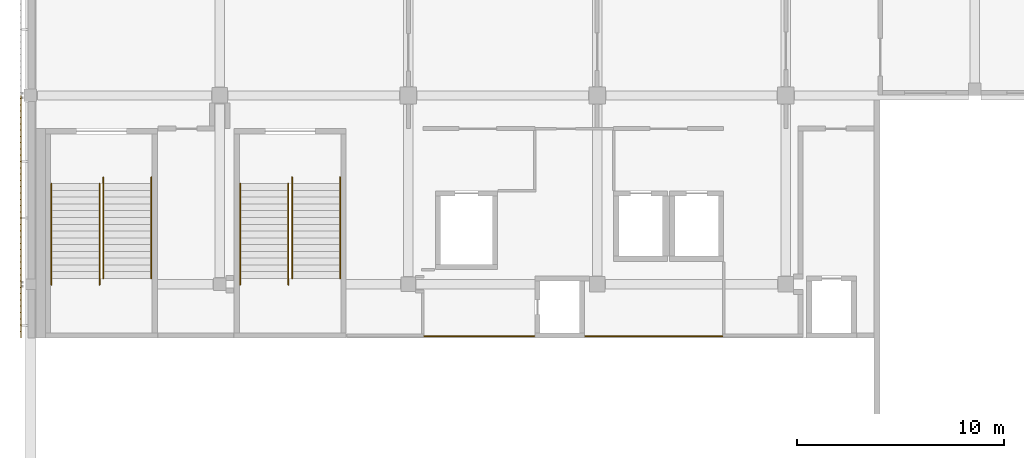
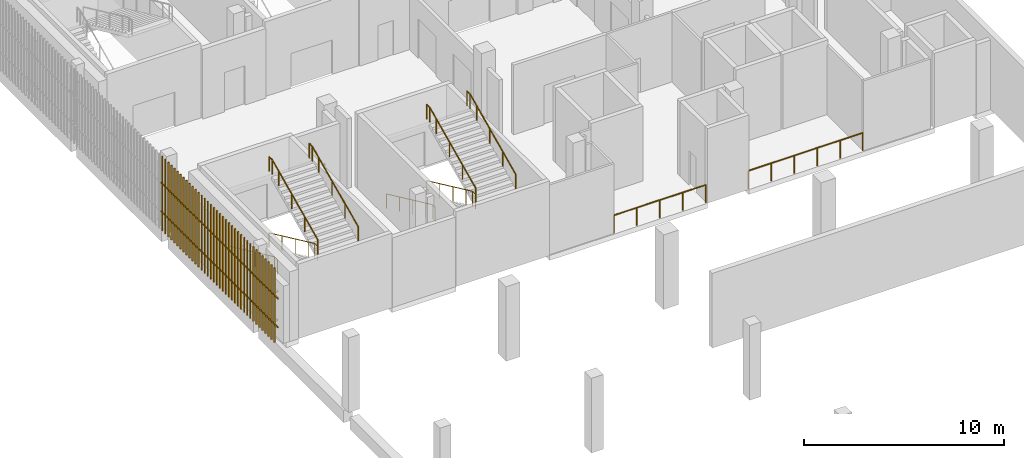
# One storey, part 93 of 104: 10 railings, 2 shading devices.
"""IFC4 building model written with IfcOpenShell, lengths in metres."""

from ifc_helpers import new_model, si_unit, direction, frame, origin, origin_2d, place, context, subcontext, project, spatial, rectangle, circle, extrude, material, type_object, element, save


model = new_model("IFC4")

# Units and contexts
model_context = context("Model", 3, precision=1e-05, world=origin(), true_north=direction((0.0, 1.0)))
body_context = subcontext(model_context, "Body", "Model", "MODEL_VIEW")
ifc_project = project(units=[si_unit("LENGTHUNIT", "METRE"), si_unit("AREAUNIT", "SQUARE_METRE"), si_unit("VOLUMEUNIT", "CUBIC_METRE"), si_unit("PLANEANGLEUNIT", "RADIAN"), si_unit("MASSUNIT", "GRAM", prefix="KILO")], contexts=[model_context])

# Site, building, storey
site_placement = place(None, origin())
site = spatial("IfcSite", under=ifc_project, at=site_placement, CompositionType="ELEMENT")
building_placement = place(site_placement, origin())
building = spatial("IfcBuilding", under=site, at=building_placement, Name="Shirokan Park Arena", CompositionType="ELEMENT")
storey_placement = place(building_placement, frame((0.0, 0.0, 10.919921875)))
storey = spatial("IfcBuildingStorey", under=building, at=storey_placement, Name="L02", CompositionType="ELEMENT", Elevation=10.919921875)

# Railings
ifc_material_1 = material(Name="Stainless steel", Category="steel")
railing_type_1 = type_object("IfcRailingType", Name="Concourse edge guard 1100", PredefinedType="GUARDRAIL", material=ifc_material_1)
railing_1_placement = place(storey_placement, frame((24.27001953125, 79.39990234375, 0.0)))
element("IfcRailing", 1, at=railing_1_placement, inside=storey, type_object=railing_type_1, Name="Edge guard L02 3", PredefinedType="GUARDRAIL", context=body_context, shape_type="SweptSolid", body=[
    extrude(circle(Radius=0.02490234375, at=origin_2d()), frame((0.0, 0.0, 1.0771484375), z_axis=(-1.0, 0.0, 0.0), x_axis=(0.0, -1.0, 0.0)), (0.0, 0.0, 1.0), 5.3076171875),
    extrude(circle(Radius=0.02490234375, at=origin_2d()), origin(), (0.0, 0.0, 1.0), 1.052001953125),
    extrude(circle(Radius=0.02490234375, at=origin_2d()), frame((-1.326904296875, 0.0, 0.0)), (0.0, 0.0, 1.0), 1.052001953125),
    extrude(circle(Radius=0.02490234375, at=origin_2d()), frame((-2.65380859375, 0.0, 0.0)), (0.0, 0.0, 1.0), 1.052001953125),
    extrude(circle(Radius=0.02490234375, at=origin_2d()), frame((-3.980712890625, 0.0, 0.0)), (0.0, 0.0, 1.0), 1.052001953125),
    extrude(circle(Radius=0.02490234375, at=origin_2d()), frame((-5.3076171875, 0.0, 0.0)), (0.0, 0.0, 1.0), 1.052001953125),
])
railing_2_placement = place(storey_placement, frame((33.33740234375, 79.39990234375, 0.0)))
element("IfcRailing", 2, at=railing_2_placement, inside=storey, type_object=railing_type_1, Name="Edge guard L02 5", PredefinedType="GUARDRAIL", context=body_context, shape_type="SweptSolid", body=[
    extrude(circle(Radius=0.02490234375, at=origin_2d()), frame((0.0, 0.0, 1.0771484375), z_axis=(-1.0, 0.0, 0.0), x_axis=(0.0, -1.0, 0.0)), (0.0, 0.0, 1.0), 6.607421875),
    extrude(circle(Radius=0.02490234375, at=origin_2d()), origin(), (0.0, 0.0, 1.0), 1.052001953125),
    extrude(circle(Radius=0.02490234375, at=origin_2d()), frame((-1.321533203125, 0.0, 0.0)), (0.0, 0.0, 1.0), 1.052001953125),
    extrude(circle(Radius=0.02490234375, at=origin_2d()), frame((-2.64306640625, 0.0, 0.0)), (0.0, 0.0, 1.0), 1.052001953125),
    extrude(circle(Radius=0.02490234375, at=origin_2d()), frame((-3.96435546875, 0.0, 0.0)), (0.0, 0.0, 1.0), 1.052001953125),
    extrude(circle(Radius=0.02490234375, at=origin_2d()), frame((-5.285888671875, 0.0, 0.0)), (0.0, 0.0, 1.0), 1.052001953125),
    extrude(circle(Radius=0.02490234375, at=origin_2d()), frame((-6.607421875, 0.0, 0.0)), (0.0, 0.0, 1.0), 1.052001953125),
])
railing_type_2 = type_object("IfcRailingType", Name="Stair handrail 900", PredefinedType="HANDRAIL", material=ifc_material_1)
railing_3_placement = place(storey_placement, frame((0.989990234375, 86.75, 0.15185546875)))
element("IfcRailing", 3, at=railing_3_placement, inside=storey, type_object=railing_type_2, Name="Handrail Exit Stair 4.E L02 to L03", PredefinedType="HANDRAIL", context=body_context, shape_type="SweptSolid", body=[
    extrude(circle(Radius=0.02392578125, at=origin_2d()), frame((0.0, 0.0, 0.8759765625), z_axis=(0.0, -0.907094476872, 0.420927083981), x_axis=(1.0, 0.0, 0.0)), (0.0, 0.0, 1.0), 1.440673828125),
    extrude(circle(Radius=0.02392578125, at=origin_2d()), frame((0.0, -1.306884765625, 1.482421875), z_axis=(0.0, -0.906999720516, 0.421131222998), x_axis=(1.0, 0.0, 0.0)), (0.0, 0.0, 1.0), 1.440673828125),
    extrude(circle(Radius=0.02392578125, at=origin_2d()), frame((0.0, -2.613525390625, 2.0888671875), z_axis=(0.0, -0.907029769225, 0.421066500378), x_axis=(1.0, 0.0, 0.0)), (0.0, 0.0, 1.0), 1.44091796875),
    extrude(circle(Radius=0.02392578125, at=origin_2d()), frame((0.0, -3.92041015625, 2.69580078125), z_axis=(0.0, -0.906934982928, 0.421270621741), x_axis=(1.0, 0.0, 0.0)), (0.0, 0.0, 1.0), 0.720458984375),
    extrude(circle(Radius=0.02392578125, at=origin_2d()), frame((0.0, -4.57373046875, 2.9990234375), z_axis=(0.0, -1.0, 0.0), x_axis=(1.0, 0.0, 0.0)), (0.0, 0.0, 1.0), 0.300048828125),
    extrude(circle(Radius=0.02099609375, at=origin_2d()), origin(), (0.0, 0.0, 1.0), 0.851806640625),
    extrude(circle(Radius=0.02099609375, at=origin_2d()), frame((0.0, -1.306884765625, 0.6064453125)), (0.0, 0.0, 1.0), 0.851806640625),
    extrude(circle(Radius=0.02099609375, at=origin_2d()), frame((0.0, -2.613525390625, 1.213134765625)), (0.0, 0.0, 1.0), 0.851806640625),
    extrude(circle(Radius=0.02099609375, at=origin_2d()), frame((0.0, -3.92041015625, 1.81982421875)), (0.0, 0.0, 1.0), 0.851806640625),
    extrude(circle(Radius=0.02099609375, at=origin_2d()), frame((0.0, -4.57373046875, 2.123291015625)), (0.0, 0.0, 1.0), 0.851806640625),
    extrude(circle(Radius=0.02099609375, at=origin_2d()), frame((0.0, -4.873779296875, 2.123291015625)), (0.0, 0.0, 1.0), 0.851806640625),
])
railing_4_placement = place(storey_placement, frame((3.31005859375, 86.75, 0.15185546875)))
element("IfcRailing", 4, at=railing_4_placement, inside=storey, type_object=railing_type_2, Name="Handrail Exit Stair 4.E L02 to L03", PredefinedType="HANDRAIL", context=body_context, shape_type="SweptSolid", body=[
    extrude(circle(Radius=0.02392578125, at=origin_2d()), frame((0.0, 0.0, 0.8759765625), z_axis=(0.0, -0.907094476872, 0.420927083981), x_axis=(1.0, 0.0, 0.0)), (0.0, 0.0, 1.0), 1.440673828125),
    extrude(circle(Radius=0.02392578125, at=origin_2d()), frame((0.0, -1.306884765625, 1.482421875), z_axis=(0.0, -0.906999720516, 0.421131222998), x_axis=(1.0, 0.0, 0.0)), (0.0, 0.0, 1.0), 1.440673828125),
    extrude(circle(Radius=0.02392578125, at=origin_2d()), frame((0.0, -2.613525390625, 2.0888671875), z_axis=(0.0, -0.907029769225, 0.421066500378), x_axis=(1.0, 0.0, 0.0)), (0.0, 0.0, 1.0), 1.44091796875),
    extrude(circle(Radius=0.02392578125, at=origin_2d()), frame((0.0, -3.92041015625, 2.69580078125), z_axis=(0.0, -0.906934982928, 0.421270621741), x_axis=(1.0, 0.0, 0.0)), (0.0, 0.0, 1.0), 0.720458984375),
    extrude(circle(Radius=0.02392578125, at=origin_2d()), frame((0.0, -4.57373046875, 2.9990234375), z_axis=(0.0, -1.0, 0.0), x_axis=(1.0, 0.0, 0.0)), (0.0, 0.0, 1.0), 0.300048828125),
    extrude(circle(Radius=0.02099609375, at=origin_2d()), origin(), (0.0, 0.0, 1.0), 0.851806640625),
    extrude(circle(Radius=0.02099609375, at=origin_2d()), frame((0.0, -1.306884765625, 0.6064453125)), (0.0, 0.0, 1.0), 0.851806640625),
    extrude(circle(Radius=0.02099609375, at=origin_2d()), frame((0.0, -2.613525390625, 1.213134765625)), (0.0, 0.0, 1.0), 0.851806640625),
    extrude(circle(Radius=0.02099609375, at=origin_2d()), frame((0.0, -3.92041015625, 1.81982421875)), (0.0, 0.0, 1.0), 0.851806640625),
    extrude(circle(Radius=0.02099609375, at=origin_2d()), frame((0.0, -4.57373046875, 2.123291015625)), (0.0, 0.0, 1.0), 0.851806640625),
    extrude(circle(Radius=0.02099609375, at=origin_2d()), frame((0.0, -4.873779296875, 2.123291015625)), (0.0, 0.0, 1.0), 0.851806640625),
])
railing_5_placement = place(storey_placement, frame((3.489990234375, 82.17626953125, 2.4267578125)))
element("IfcRailing", 5, at=railing_5_placement, inside=storey, type_object=railing_type_2, Name="Handrail Exit Stair 4.E L02 to L03", PredefinedType="HANDRAIL", context=body_context, shape_type="SweptSolid", body=[
    extrude(circle(Radius=0.02392578125, at=origin_2d()), frame((0.0, 0.0, 0.8759765625), z_axis=(0.0, 0.906999720516, 0.421131222998), x_axis=(-1.0, 0.0, 0.0)), (0.0, 0.0, 1.0), 1.440673828125),
    extrude(circle(Radius=0.02392578125, at=origin_2d()), frame((0.0, 1.306640625, 1.482421875), z_axis=(0.0, 0.907029769225, 0.421066500378), x_axis=(-1.0, 0.0, 0.0)), (0.0, 0.0, 1.0), 1.44091796875),
    extrude(circle(Radius=0.02392578125, at=origin_2d()), frame((0.0, 2.613525390625, 2.08935546875), z_axis=(0.0, 0.907029769225, 0.421066500378), x_axis=(-1.0, 0.0, 0.0)), (0.0, 0.0, 1.0), 1.44091796875),
    extrude(circle(Radius=0.02392578125, at=origin_2d()), frame((0.0, 3.92041015625, 2.69580078125), z_axis=(0.0, 0.907064445915, 0.420991794405), x_axis=(-1.0, 0.0, 0.0)), (0.0, 0.0, 1.0), 0.72021484375),
    extrude(circle(Radius=0.02392578125, at=origin_2d()), frame((0.0, 4.57373046875, 2.9990234375), z_axis=(0.0, 1.0, 0.0), x_axis=(-1.0, 0.0, 0.0)), (0.0, 0.0, 1.0), 0.300048828125),
    extrude(circle(Radius=0.02099609375, at=origin_2d()), origin(), (0.0, 0.0, 1.0), 0.851806640625),
    extrude(circle(Radius=0.02099609375, at=origin_2d()), frame((0.0, 1.306640625, 0.606689453125)), (0.0, 0.0, 1.0), 0.851806640625),
    extrude(circle(Radius=0.02099609375, at=origin_2d()), frame((0.0, 2.613525390625, 1.21337890625)), (0.0, 0.0, 1.0), 0.851806640625),
    extrude(circle(Radius=0.02099609375, at=origin_2d()), frame((0.0, 3.92041015625, 1.820068359375)), (0.0, 0.0, 1.0), 0.851806640625),
    extrude(circle(Radius=0.02099609375, at=origin_2d()), frame((0.0, 4.57373046875, 2.123291015625)), (0.0, 0.0, 1.0), 0.851806640625),
    extrude(circle(Radius=0.02099609375, at=origin_2d()), frame((0.0, 4.873779296875, 2.123291015625)), (0.0, 0.0, 1.0), 0.851806640625),
])
railing_6_placement = place(storey_placement, frame((5.81005859375, 82.17626953125, 2.4267578125)))
element("IfcRailing", 6, at=railing_6_placement, inside=storey, type_object=railing_type_2, Name="Handrail Exit Stair 4.E L02 to L03", PredefinedType="HANDRAIL", context=body_context, shape_type="SweptSolid", body=[
    extrude(circle(Radius=0.02392578125, at=origin_2d()), frame((0.0, 0.0, 0.8759765625), z_axis=(0.0, 0.906999720516, 0.421131222998), x_axis=(-1.0, 0.0, 0.0)), (0.0, 0.0, 1.0), 1.440673828125),
    extrude(circle(Radius=0.02392578125, at=origin_2d()), frame((0.0, 1.306640625, 1.482421875), z_axis=(0.0, 0.907029769225, 0.421066500378), x_axis=(-1.0, 0.0, 0.0)), (0.0, 0.0, 1.0), 1.44091796875),
    extrude(circle(Radius=0.02392578125, at=origin_2d()), frame((0.0, 2.613525390625, 2.08935546875), z_axis=(0.0, 0.907029769225, 0.421066500378), x_axis=(-1.0, 0.0, 0.0)), (0.0, 0.0, 1.0), 1.44091796875),
    extrude(circle(Radius=0.02392578125, at=origin_2d()), frame((0.0, 3.92041015625, 2.69580078125), z_axis=(0.0, 0.907064445915, 0.420991794405), x_axis=(-1.0, 0.0, 0.0)), (0.0, 0.0, 1.0), 0.72021484375),
    extrude(circle(Radius=0.02392578125, at=origin_2d()), frame((0.0, 4.57373046875, 2.9990234375), z_axis=(0.0, 1.0, 0.0), x_axis=(-1.0, 0.0, 0.0)), (0.0, 0.0, 1.0), 0.300048828125),
    extrude(circle(Radius=0.02099609375, at=origin_2d()), origin(), (0.0, 0.0, 1.0), 0.851806640625),
    extrude(circle(Radius=0.02099609375, at=origin_2d()), frame((0.0, 1.306640625, 0.606689453125)), (0.0, 0.0, 1.0), 0.851806640625),
    extrude(circle(Radius=0.02099609375, at=origin_2d()), frame((0.0, 2.613525390625, 1.21337890625)), (0.0, 0.0, 1.0), 0.851806640625),
    extrude(circle(Radius=0.02099609375, at=origin_2d()), frame((0.0, 3.92041015625, 1.820068359375)), (0.0, 0.0, 1.0), 0.851806640625),
    extrude(circle(Radius=0.02099609375, at=origin_2d()), frame((0.0, 4.57373046875, 2.123291015625)), (0.0, 0.0, 1.0), 0.851806640625),
    extrude(circle(Radius=0.02099609375, at=origin_2d()), frame((0.0, 4.873779296875, 2.123291015625)), (0.0, 0.0, 1.0), 0.851806640625),
])
railing_7_placement = place(storey_placement, frame((10.090087890625, 86.75, 0.15185546875)))
element("IfcRailing", 7, at=railing_7_placement, inside=storey, type_object=railing_type_2, Name="Handrail Exit Stair 4.F L02 to L03", PredefinedType="HANDRAIL", context=body_context, shape_type="SweptSolid", body=[
    extrude(circle(Radius=0.02392578125, at=origin_2d()), frame((0.0, 0.0, 0.8759765625), z_axis=(0.0, -0.907094476872, 0.420927083981), x_axis=(1.0, 0.0, 0.0)), (0.0, 0.0, 1.0), 1.440673828125),
    extrude(circle(Radius=0.02392578125, at=origin_2d()), frame((0.0, -1.306884765625, 1.482421875), z_axis=(0.0, -0.906999720516, 0.421131222998), x_axis=(1.0, 0.0, 0.0)), (0.0, 0.0, 1.0), 1.440673828125),
    extrude(circle(Radius=0.02392578125, at=origin_2d()), frame((0.0, -2.613525390625, 2.0888671875), z_axis=(0.0, -0.907029769225, 0.421066500378), x_axis=(1.0, 0.0, 0.0)), (0.0, 0.0, 1.0), 1.44091796875),
    extrude(circle(Radius=0.02392578125, at=origin_2d()), frame((0.0, -3.92041015625, 2.69580078125), z_axis=(0.0, -0.906934982928, 0.421270621741), x_axis=(1.0, 0.0, 0.0)), (0.0, 0.0, 1.0), 0.720458984375),
    extrude(circle(Radius=0.02392578125, at=origin_2d()), frame((0.0, -4.57373046875, 2.9990234375), z_axis=(0.0, -1.0, 0.0), x_axis=(1.0, 0.0, 0.0)), (0.0, 0.0, 1.0), 0.300048828125),
    extrude(circle(Radius=0.02099609375, at=origin_2d()), origin(), (0.0, 0.0, 1.0), 0.851806640625),
    extrude(circle(Radius=0.02099609375, at=origin_2d()), frame((0.0, -1.306884765625, 0.6064453125)), (0.0, 0.0, 1.0), 0.851806640625),
    extrude(circle(Radius=0.02099609375, at=origin_2d()), frame((0.0, -2.613525390625, 1.213134765625)), (0.0, 0.0, 1.0), 0.851806640625),
    extrude(circle(Radius=0.02099609375, at=origin_2d()), frame((0.0, -3.92041015625, 1.81982421875)), (0.0, 0.0, 1.0), 0.851806640625),
    extrude(circle(Radius=0.02099609375, at=origin_2d()), frame((0.0, -4.57373046875, 2.123291015625)), (0.0, 0.0, 1.0), 0.851806640625),
    extrude(circle(Radius=0.02099609375, at=origin_2d()), frame((0.0, -4.873779296875, 2.123291015625)), (0.0, 0.0, 1.0), 0.851806640625),
])
railing_8_placement = place(storey_placement, frame((12.409912109375, 86.75, 0.15185546875)))
element("IfcRailing", 8, at=railing_8_placement, inside=storey, type_object=railing_type_2, Name="Handrail Exit Stair 4.F L02 to L03", PredefinedType="HANDRAIL", context=body_context, shape_type="SweptSolid", body=[
    extrude(circle(Radius=0.02392578125, at=origin_2d()), frame((0.0, 0.0, 0.8759765625), z_axis=(0.0, -0.907094476872, 0.420927083981), x_axis=(1.0, 0.0, 0.0)), (0.0, 0.0, 1.0), 1.440673828125),
    extrude(circle(Radius=0.02392578125, at=origin_2d()), frame((0.0, -1.306884765625, 1.482421875), z_axis=(0.0, -0.906999720516, 0.421131222998), x_axis=(1.0, 0.0, 0.0)), (0.0, 0.0, 1.0), 1.440673828125),
    extrude(circle(Radius=0.02392578125, at=origin_2d()), frame((0.0, -2.613525390625, 2.0888671875), z_axis=(0.0, -0.907029769225, 0.421066500378), x_axis=(1.0, 0.0, 0.0)), (0.0, 0.0, 1.0), 1.44091796875),
    extrude(circle(Radius=0.02392578125, at=origin_2d()), frame((0.0, -3.92041015625, 2.69580078125), z_axis=(0.0, -0.906934982928, 0.421270621741), x_axis=(1.0, 0.0, 0.0)), (0.0, 0.0, 1.0), 0.720458984375),
    extrude(circle(Radius=0.02392578125, at=origin_2d()), frame((0.0, -4.57373046875, 2.9990234375), z_axis=(0.0, -1.0, 0.0), x_axis=(1.0, 0.0, 0.0)), (0.0, 0.0, 1.0), 0.300048828125),
    extrude(circle(Radius=0.02099609375, at=origin_2d()), origin(), (0.0, 0.0, 1.0), 0.851806640625),
    extrude(circle(Radius=0.02099609375, at=origin_2d()), frame((0.0, -1.306884765625, 0.6064453125)), (0.0, 0.0, 1.0), 0.851806640625),
    extrude(circle(Radius=0.02099609375, at=origin_2d()), frame((0.0, -2.613525390625, 1.213134765625)), (0.0, 0.0, 1.0), 0.851806640625),
    extrude(circle(Radius=0.02099609375, at=origin_2d()), frame((0.0, -3.92041015625, 1.81982421875)), (0.0, 0.0, 1.0), 0.851806640625),
    extrude(circle(Radius=0.02099609375, at=origin_2d()), frame((0.0, -4.57373046875, 2.123291015625)), (0.0, 0.0, 1.0), 0.851806640625),
    extrude(circle(Radius=0.02099609375, at=origin_2d()), frame((0.0, -4.873779296875, 2.123291015625)), (0.0, 0.0, 1.0), 0.851806640625),
])
railing_9_placement = place(storey_placement, frame((12.590087890625, 82.17626953125, 2.4267578125)))
element("IfcRailing", 9, at=railing_9_placement, inside=storey, type_object=railing_type_2, Name="Handrail Exit Stair 4.F L02 to L03", PredefinedType="HANDRAIL", context=body_context, shape_type="SweptSolid", body=[
    extrude(circle(Radius=0.02392578125, at=origin_2d()), frame((0.0, 0.0, 0.8759765625), z_axis=(0.0, 0.906999720516, 0.421131222998), x_axis=(-1.0, 0.0, 0.0)), (0.0, 0.0, 1.0), 1.440673828125),
    extrude(circle(Radius=0.02392578125, at=origin_2d()), frame((0.0, 1.306640625, 1.482421875), z_axis=(0.0, 0.907029769225, 0.421066500378), x_axis=(-1.0, 0.0, 0.0)), (0.0, 0.0, 1.0), 1.44091796875),
    extrude(circle(Radius=0.02392578125, at=origin_2d()), frame((0.0, 2.613525390625, 2.08935546875), z_axis=(0.0, 0.907029769225, 0.421066500378), x_axis=(-1.0, 0.0, 0.0)), (0.0, 0.0, 1.0), 1.44091796875),
    extrude(circle(Radius=0.02392578125, at=origin_2d()), frame((0.0, 3.92041015625, 2.69580078125), z_axis=(0.0, 0.907064445915, 0.420991794405), x_axis=(-1.0, 0.0, 0.0)), (0.0, 0.0, 1.0), 0.72021484375),
    extrude(circle(Radius=0.02392578125, at=origin_2d()), frame((0.0, 4.57373046875, 2.9990234375), z_axis=(0.0, 1.0, 0.0), x_axis=(-1.0, 0.0, 0.0)), (0.0, 0.0, 1.0), 0.300048828125),
    extrude(circle(Radius=0.02099609375, at=origin_2d()), origin(), (0.0, 0.0, 1.0), 0.851806640625),
    extrude(circle(Radius=0.02099609375, at=origin_2d()), frame((0.0, 1.306640625, 0.606689453125)), (0.0, 0.0, 1.0), 0.851806640625),
    extrude(circle(Radius=0.02099609375, at=origin_2d()), frame((0.0, 2.613525390625, 1.21337890625)), (0.0, 0.0, 1.0), 0.851806640625),
    extrude(circle(Radius=0.02099609375, at=origin_2d()), frame((0.0, 3.92041015625, 1.820068359375)), (0.0, 0.0, 1.0), 0.851806640625),
    extrude(circle(Radius=0.02099609375, at=origin_2d()), frame((0.0, 4.57373046875, 2.123291015625)), (0.0, 0.0, 1.0), 0.851806640625),
    extrude(circle(Radius=0.02099609375, at=origin_2d()), frame((0.0, 4.873779296875, 2.123291015625)), (0.0, 0.0, 1.0), 0.851806640625),
])
railing_10_placement = place(storey_placement, frame((14.909912109375, 82.17626953125, 2.4267578125)))
element("IfcRailing", 10, at=railing_10_placement, inside=storey, type_object=railing_type_2, Name="Handrail Exit Stair 4.F L02 to L03", PredefinedType="HANDRAIL", context=body_context, shape_type="SweptSolid", body=[
    extrude(circle(Radius=0.02392578125, at=origin_2d()), frame((0.0, 0.0, 0.8759765625), z_axis=(0.0, 0.906999720516, 0.421131222998), x_axis=(-1.0, 0.0, 0.0)), (0.0, 0.0, 1.0), 1.440673828125),
    extrude(circle(Radius=0.02392578125, at=origin_2d()), frame((0.0, 1.306640625, 1.482421875), z_axis=(0.0, 0.907029769225, 0.421066500378), x_axis=(-1.0, 0.0, 0.0)), (0.0, 0.0, 1.0), 1.44091796875),
    extrude(circle(Radius=0.02392578125, at=origin_2d()), frame((0.0, 2.613525390625, 2.08935546875), z_axis=(0.0, 0.907029769225, 0.421066500378), x_axis=(-1.0, 0.0, 0.0)), (0.0, 0.0, 1.0), 1.44091796875),
    extrude(circle(Radius=0.02392578125, at=origin_2d()), frame((0.0, 3.92041015625, 2.69580078125), z_axis=(0.0, 0.907064445915, 0.420991794405), x_axis=(-1.0, 0.0, 0.0)), (0.0, 0.0, 1.0), 0.72021484375),
    extrude(circle(Radius=0.02392578125, at=origin_2d()), frame((0.0, 4.57373046875, 2.9990234375), z_axis=(0.0, 1.0, 0.0), x_axis=(-1.0, 0.0, 0.0)), (0.0, 0.0, 1.0), 0.300048828125),
    extrude(circle(Radius=0.02099609375, at=origin_2d()), origin(), (0.0, 0.0, 1.0), 0.851806640625),
    extrude(circle(Radius=0.02099609375, at=origin_2d()), frame((0.0, 1.306640625, 0.606689453125)), (0.0, 0.0, 1.0), 0.851806640625),
    extrude(circle(Radius=0.02099609375, at=origin_2d()), frame((0.0, 2.613525390625, 1.21337890625)), (0.0, 0.0, 1.0), 0.851806640625),
    extrude(circle(Radius=0.02099609375, at=origin_2d()), frame((0.0, 3.92041015625, 1.820068359375)), (0.0, 0.0, 1.0), 0.851806640625),
    extrude(circle(Radius=0.02099609375, at=origin_2d()), frame((0.0, 4.57373046875, 2.123291015625)), (0.0, 0.0, 1.0), 0.851806640625),
    extrude(circle(Radius=0.02099609375, at=origin_2d()), frame((0.0, 4.873779296875, 2.123291015625)), (0.0, 0.0, 1.0), 0.851806640625),
])

# Shading devices
ifc_material_2 = material(Name="Timber louvre veil (cedar)", Category="wood")
shading_device_type = type_object("IfcShadingDeviceType", Name="Timber louvre veil panel", PredefinedType="JALOUSIE", material=ifc_material_2)
shading_device_1_placement = place(storey_placement, origin())
element("IfcShadingDevice", 11, at=shading_device_1_placement, inside=storey, type_object=shading_device_type, Name="Timber louvre veil west bay 3 L02", PredefinedType="JALOUSIE", context=body_context, shape_type="SweptSolid", body=[
    extrude(rectangle(XDim=0.050048828125, YDim=0.080078125, at=origin_2d()), frame((-0.485107421875, 90.848388671875, 0.0), z_axis=(0.0, 0.0, 1.0), x_axis=(0.0, -1.0, 0.0)), (0.0, 0.0, 1.0), 4.550048828125),
    extrude(rectangle(XDim=0.050048828125, YDim=0.080078125, at=origin_2d()), frame((-0.485107421875, 90.544921875, 0.0), z_axis=(0.0, 0.0, 1.0), x_axis=(0.0, -1.0, 0.0)), (0.0, 0.0, 1.0), 4.550048828125),
    extrude(rectangle(XDim=0.050048828125, YDim=0.080078125, at=origin_2d()), frame((-0.485107421875, 90.24169921875, 0.0), z_axis=(0.0, 0.0, 1.0), x_axis=(0.0, -1.0, 0.0)), (0.0, 0.0, 1.0), 4.550048828125),
    extrude(rectangle(XDim=0.050048828125, YDim=0.080078125, at=origin_2d()), frame((-0.485107421875, 89.938232421875, 0.0), z_axis=(0.0, 0.0, 1.0), x_axis=(0.0, -1.0, 0.0)), (0.0, 0.0, 1.0), 4.550048828125),
    extrude(rectangle(XDim=0.050048828125, YDim=0.080078125, at=origin_2d()), frame((-0.485107421875, 89.635009765625, 0.0), z_axis=(0.0, 0.0, 1.0), x_axis=(0.0, -1.0, 0.0)), (0.0, 0.0, 1.0), 4.550048828125),
    extrude(rectangle(XDim=0.050048828125, YDim=0.080078125, at=origin_2d()), frame((-0.485107421875, 89.331787109375, 0.0), z_axis=(0.0, 0.0, 1.0), x_axis=(0.0, -1.0, 0.0)), (0.0, 0.0, 1.0), 4.550048828125),
    extrude(rectangle(XDim=0.050048828125, YDim=0.080078125, at=origin_2d()), frame((-0.485107421875, 89.0283203125, 0.0), z_axis=(0.0, 0.0, 1.0), x_axis=(0.0, -1.0, 0.0)), (0.0, 0.0, 1.0), 4.550048828125),
    extrude(rectangle(XDim=0.050048828125, YDim=0.080078125, at=origin_2d()), frame((-0.485107421875, 88.72509765625, 0.0), z_axis=(0.0, 0.0, 1.0), x_axis=(0.0, -1.0, 0.0)), (0.0, 0.0, 1.0), 4.550048828125),
    extrude(rectangle(XDim=0.050048828125, YDim=0.080078125, at=origin_2d()), frame((-0.485107421875, 88.421630859375, 0.0), z_axis=(0.0, 0.0, 1.0), x_axis=(0.0, -1.0, 0.0)), (0.0, 0.0, 1.0), 4.550048828125),
    extrude(rectangle(XDim=0.050048828125, YDim=0.080078125, at=origin_2d()), frame((-0.485107421875, 88.118408203125, 0.0), z_axis=(0.0, 0.0, 1.0), x_axis=(0.0, -1.0, 0.0)), (0.0, 0.0, 1.0), 4.550048828125),
    extrude(rectangle(XDim=0.050048828125, YDim=0.080078125, at=origin_2d()), frame((-0.485107421875, 87.81494140625, 0.0), z_axis=(0.0, 0.0, 1.0), x_axis=(0.0, -1.0, 0.0)), (0.0, 0.0, 1.0), 4.550048828125),
    extrude(rectangle(XDim=0.050048828125, YDim=0.080078125, at=origin_2d()), frame((-0.485107421875, 87.51171875, 0.0), z_axis=(0.0, 0.0, 1.0), x_axis=(0.0, -1.0, 0.0)), (0.0, 0.0, 1.0), 4.550048828125),
    extrude(rectangle(XDim=0.050048828125, YDim=0.080078125, at=origin_2d()), frame((-0.485107421875, 87.208251953125, 0.0), z_axis=(0.0, 0.0, 1.0), x_axis=(0.0, -1.0, 0.0)), (0.0, 0.0, 1.0), 4.550048828125),
    extrude(rectangle(XDim=0.050048828125, YDim=0.080078125, at=origin_2d()), frame((-0.485107421875, 86.905029296875, 0.0), z_axis=(0.0, 0.0, 1.0), x_axis=(0.0, -1.0, 0.0)), (0.0, 0.0, 1.0), 4.550048828125),
    extrude(rectangle(XDim=0.050048828125, YDim=0.080078125, at=origin_2d()), frame((-0.485107421875, 86.6015625, 0.0), z_axis=(0.0, 0.0, 1.0), x_axis=(0.0, -1.0, 0.0)), (0.0, 0.0, 1.0), 4.550048828125),
    extrude(rectangle(XDim=0.050048828125, YDim=0.080078125, at=origin_2d()), frame((-0.485107421875, 86.29833984375, 0.0), z_axis=(0.0, 0.0, 1.0), x_axis=(0.0, -1.0, 0.0)), (0.0, 0.0, 1.0), 4.550048828125),
    extrude(rectangle(XDim=0.050048828125, YDim=0.080078125, at=origin_2d()), frame((-0.485107421875, 85.9951171875, 0.0), z_axis=(0.0, 0.0, 1.0), x_axis=(0.0, -1.0, 0.0)), (0.0, 0.0, 1.0), 4.550048828125),
    extrude(rectangle(XDim=0.050048828125, YDim=0.080078125, at=origin_2d()), frame((-0.485107421875, 85.691650390625, 0.0), z_axis=(0.0, 0.0, 1.0), x_axis=(0.0, -1.0, 0.0)), (0.0, 0.0, 1.0), 4.550048828125),
    extrude(rectangle(XDim=0.050048828125, YDim=0.080078125, at=origin_2d()), frame((-0.485107421875, 85.388427734375, 0.0), z_axis=(0.0, 0.0, 1.0), x_axis=(0.0, -1.0, 0.0)), (0.0, 0.0, 1.0), 4.550048828125),
    extrude(rectangle(XDim=0.050048828125, YDim=0.080078125, at=origin_2d()), frame((-0.485107421875, 85.0849609375, 0.0), z_axis=(0.0, 0.0, 1.0), x_axis=(0.0, -1.0, 0.0)), (0.0, 0.0, 1.0), 4.550048828125),
    extrude(rectangle(XDim=0.050048828125, YDim=0.080078125, at=origin_2d()), frame((-0.485107421875, 84.78173828125, 0.0), z_axis=(0.0, 0.0, 1.0), x_axis=(0.0, -1.0, 0.0)), (0.0, 0.0, 1.0), 4.550048828125),
    extrude(rectangle(XDim=0.050048828125, YDim=0.080078125, at=origin_2d()), frame((-0.485107421875, 84.478271484375, 0.0), z_axis=(0.0, 0.0, 1.0), x_axis=(0.0, -1.0, 0.0)), (0.0, 0.0, 1.0), 4.550048828125),
    extrude(rectangle(XDim=0.050048828125, YDim=0.080078125, at=origin_2d()), frame((-0.485107421875, 84.175048828125, 0.0), z_axis=(0.0, 0.0, 1.0), x_axis=(0.0, -1.0, 0.0)), (0.0, 0.0, 1.0), 4.550048828125),
    extrude(rectangle(XDim=0.050048828125, YDim=0.080078125, at=origin_2d()), frame((-0.485107421875, 83.87158203125, 0.0), z_axis=(0.0, 0.0, 1.0), x_axis=(0.0, -1.0, 0.0)), (0.0, 0.0, 1.0), 4.550048828125),
    extrude(rectangle(XDim=0.050048828125, YDim=0.080078125, at=origin_2d()), frame((-0.485107421875, 83.568359375, 0.0), z_axis=(0.0, 0.0, 1.0), x_axis=(0.0, -1.0, 0.0)), (0.0, 0.0, 1.0), 4.550048828125),
    extrude(rectangle(XDim=0.050048828125, YDim=0.080078125, at=origin_2d()), frame((-0.485107421875, 83.264892578125, 0.0), z_axis=(0.0, 0.0, 1.0), x_axis=(0.0, -1.0, 0.0)), (0.0, 0.0, 1.0), 4.550048828125),
    extrude(rectangle(XDim=0.050048828125, YDim=0.080078125, at=origin_2d()), frame((-0.485107421875, 82.961669921875, 0.0), z_axis=(0.0, 0.0, 1.0), x_axis=(0.0, -1.0, 0.0)), (0.0, 0.0, 1.0), 4.550048828125),
    extrude(rectangle(XDim=0.050048828125, YDim=0.080078125, at=origin_2d()), frame((-0.485107421875, 82.658447265625, 0.0), z_axis=(0.0, 0.0, 1.0), x_axis=(0.0, -1.0, 0.0)), (0.0, 0.0, 1.0), 4.550048828125),
    extrude(rectangle(XDim=0.050048828125, YDim=0.080078125, at=origin_2d()), frame((-0.485107421875, 82.35498046875, 0.0), z_axis=(0.0, 0.0, 1.0), x_axis=(0.0, -1.0, 0.0)), (0.0, 0.0, 1.0), 4.550048828125),
    extrude(rectangle(XDim=0.050048828125, YDim=0.080078125, at=origin_2d()), frame((-0.485107421875, 82.0517578125, 0.0), z_axis=(0.0, 0.0, 1.0), x_axis=(0.0, -1.0, 0.0)), (0.0, 0.0, 1.0), 4.550048828125),
    extrude(rectangle(XDim=9.10009765625, YDim=0.050048828125, at=origin_2d()), frame((-0.469970703125, 86.449951171875, 1.06005859375), z_axis=(0.0, 0.0, 1.0), x_axis=(0.0, -1.0, 0.0)), (0.0, 0.0, 1.0), 0.080078125),
    extrude(rectangle(XDim=9.10009765625, YDim=0.050048828125, at=origin_2d()), frame((-0.469970703125, 86.449951171875, 2.81005859375), z_axis=(0.0, 0.0, 1.0), x_axis=(0.0, -1.0, 0.0)), (0.0, 0.0, 1.0), 0.080078125),
])
shading_device_2_placement = place(storey_placement, origin())
element("IfcShadingDevice", 12, at=shading_device_2_placement, inside=storey, type_object=shading_device_type, Name="Timber louvre veil west bay 4 L02", PredefinedType="JALOUSIE", context=body_context, shape_type="SweptSolid", body=[
    extrude(rectangle(XDim=0.050048828125, YDim=0.080078125, at=origin_2d()), frame((-0.485107421875, 81.748291015625, 0.0), z_axis=(0.0, 0.0, 1.0), x_axis=(0.0, -1.0, 0.0)), (0.0, 0.0, 1.0), 4.550048828125),
    extrude(rectangle(XDim=0.050048828125, YDim=0.080078125, at=origin_2d()), frame((-0.485107421875, 81.445068359375, 0.0), z_axis=(0.0, 0.0, 1.0), x_axis=(0.0, -1.0, 0.0)), (0.0, 0.0, 1.0), 4.550048828125),
    extrude(rectangle(XDim=0.050048828125, YDim=0.080078125, at=origin_2d()), frame((-0.485107421875, 81.1416015625, 0.0), z_axis=(0.0, 0.0, 1.0), x_axis=(0.0, -1.0, 0.0)), (0.0, 0.0, 1.0), 4.550048828125),
    extrude(rectangle(XDim=0.050048828125, YDim=0.080078125, at=origin_2d()), frame((-0.485107421875, 80.83837890625, 0.0), z_axis=(0.0, 0.0, 1.0), x_axis=(0.0, -1.0, 0.0)), (0.0, 0.0, 1.0), 4.550048828125),
    extrude(rectangle(XDim=0.050048828125, YDim=0.080078125, at=origin_2d()), frame((-0.485107421875, 80.534912109375, 0.0), z_axis=(0.0, 0.0, 1.0), x_axis=(0.0, -1.0, 0.0)), (0.0, 0.0, 1.0), 4.550048828125),
    extrude(rectangle(XDim=0.050048828125, YDim=0.080078125, at=origin_2d()), frame((-0.485107421875, 80.231689453125, 0.0), z_axis=(0.0, 0.0, 1.0), x_axis=(0.0, -1.0, 0.0)), (0.0, 0.0, 1.0), 4.550048828125),
    extrude(rectangle(XDim=0.050048828125, YDim=0.080078125, at=origin_2d()), frame((-0.485107421875, 79.92822265625, 0.0), z_axis=(0.0, 0.0, 1.0), x_axis=(0.0, -1.0, 0.0)), (0.0, 0.0, 1.0), 4.550048828125),
    extrude(rectangle(XDim=0.050048828125, YDim=0.080078125, at=origin_2d()), frame((-0.485107421875, 79.625, 0.0), z_axis=(0.0, 0.0, 1.0), x_axis=(0.0, -1.0, 0.0)), (0.0, 0.0, 1.0), 4.550048828125),
    extrude(rectangle(XDim=2.60009765625, YDim=0.050048828125, at=origin_2d()), frame((-0.469970703125, 80.60009765625, 1.06005859375), z_axis=(0.0, 0.0, 1.0), x_axis=(0.0, -1.0, 0.0)), (0.0, 0.0, 1.0), 0.080078125),
    extrude(rectangle(XDim=2.60009765625, YDim=0.050048828125, at=origin_2d()), frame((-0.469970703125, 80.60009765625, 2.81005859375), z_axis=(0.0, 0.0, 1.0), x_axis=(0.0, -1.0, 0.0)), (0.0, 0.0, 1.0), 0.080078125),
])

save(model, "model.ifc")
